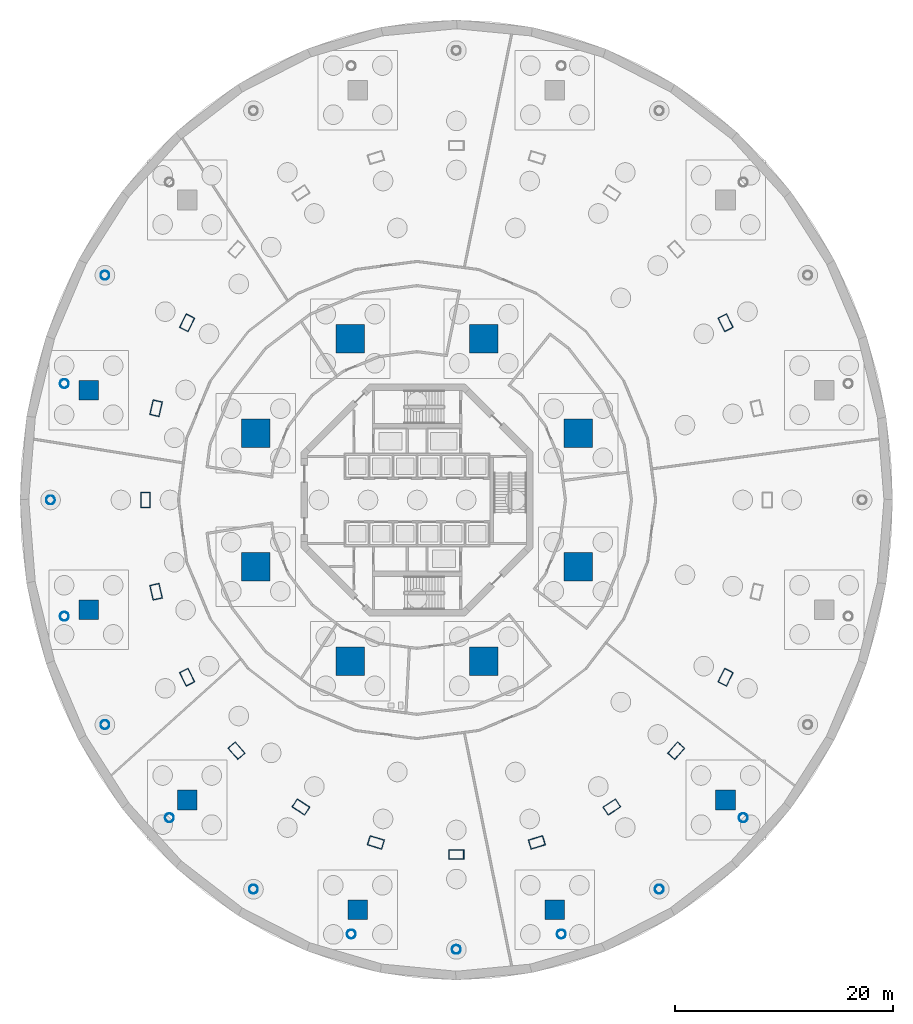
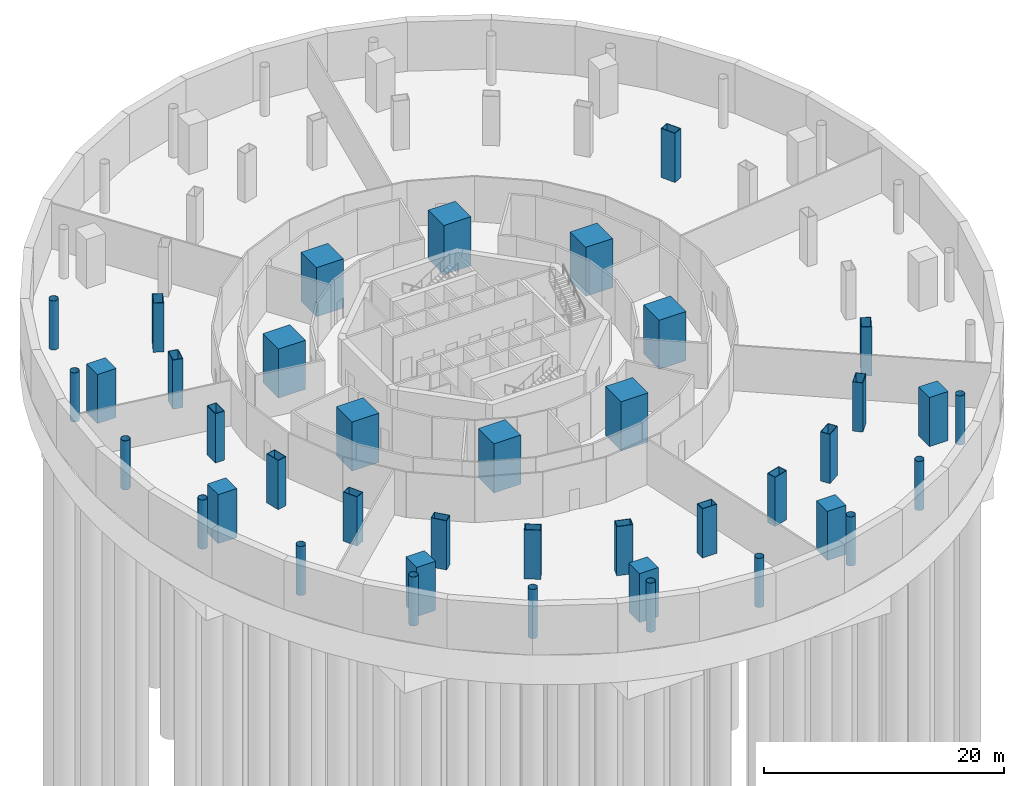
# One storey, part 2 of 14: 40 columns.
"""IFC4 building model written with IfcOpenShell, lengths in metres."""

from ifc_helpers import new_model, si_unit, direction, frame, origin, origin_2d, place, context, subcontext, project, spatial, rectangle, hollow_rectangle, hollow_circle, extrude, material, material_profile, profile_set, type_object, element, save


model = new_model("IFC4")

# Units and contexts
model_context = context("Model", 3, precision=1e-05, world=origin(), true_north=direction((0.0, 1.0)))
body_context = subcontext(model_context, "Body", "Model", "MODEL_VIEW")
ifc_project = project(units=[si_unit("LENGTHUNIT", "METRE"), si_unit("AREAUNIT", "SQUARE_METRE"), si_unit("VOLUMEUNIT", "CUBIC_METRE"), si_unit("PLANEANGLEUNIT", "RADIAN"), si_unit("MASSUNIT", "GRAM", prefix="KILO")], contexts=[model_context])

# Site, building, storey
site_placement = place(None, origin())
site = spatial("IfcSite", under=ifc_project, at=site_placement, CompositionType="ELEMENT")
building_placement = place(site_placement, origin())
building = spatial("IfcBuilding", under=site, at=building_placement, Name="Nagisa Residences", CompositionType="ELEMENT")
storey_placement = place(building_placement, frame((0.0, 0.0, -10.0)))
storey = spatial("IfcBuildingStorey", under=building, at=storey_placement, Name="B2", CompositionType="ELEMENT", Elevation=-10.0)

# Columns
ifc_material_1 = material(Name="Steel ASTM A572 Gr 65", Category="steel")
ifc_material_profile_1 = material_profile(ifc_material_1, hollow_circle(Radius=0.406494140625, WallThickness=0.02490234375, at=origin_2d()), Name="CHS 813x25")
ifc_profile_set_1 = profile_set([ifc_material_profile_1], Name="Steel ASTM A572 Gr 65")
column_type_1 = type_object("IfcColumnType", Name="Atrium column CHS 813x25", PredefinedType="COLUMN", material=ifc_profile_set_1)
for number, where, z_axis, x_axis, name in (
    (1, (-28.6162109375, 20.60009765625, 0.0), (0.0, 0.0, 1.0), (1.0, 0.0, 0.0), "col:B2:a10"),
    (2, (-32.33251953125, 10.663330078125, 0.0), (0.0, 0.0, 1.0), (1.0, 0.0, 0.0), "col:B2:a11"),
    (3, (-33.60009765625, 0.0, 0.0), (0.0, 0.0, 1.0), (1.0, 0.0, 0.0), "col:B2:a12"),
    (4, (-32.33251953125, -10.663330078125, 0.0), (0.0, 0.0, 1.0), (1.0, 0.0, 0.0), "col:B2:a13"),
    (5, (-28.6162109375, -20.60009765625, 0.0), (0.0, 0.0, 1.0), (1.0, 0.0, 0.0), "col:B2:a14"),
    (6, (-22.704345703125, -29.1328125, 0.0), (0.0, 0.0, 1.0), (1.0, 0.0, 0.0), "col:B2:a15"),
    (7, (-15.0, -35.68017578125, 0.0), (0.0, 0.0, 1.0), (1.0, 0.0, 0.0), "col:B2:a16"),
    (8, (-6.028076171875, -39.796142578125, 0.0), (0.0, 0.0, 1.0), (1.0, 0.0, 0.0), "col:B2:a17"),
    (9, (3.60009765625, -41.199951171875, 0.0), (0.0, 0.0, 1.0), (1.0, 0.0, 0.0), "col:B2:a18"),
    (10, (13.22802734375, -39.796142578125, 0.0), (0.0, 0.0, 1.0), (1.0, 0.0, 0.0), "col:B2:a19"),
    (11, (22.199951171875, -35.68017578125, 0.0), (0.0, 0.0, 1.0), (1.0, 0.0, 0.0), "col:B2:a20"),
    (12, (29.904296875, -29.1328125, 0.0), (0.0, 0.0, 1.0), (1.0, 0.0, 0.0), "col:B2:a21"),
):
    element("IfcColumn", number, at=place(storey_placement, frame(where, z_axis=z_axis, x_axis=x_axis)), inside=storey, type_object=column_type_1, Name=name, PredefinedType="COLUMN", context=body_context, shape_type="SweptSolid", body=[
        extrude(hollow_circle(Radius=0.406494140625, WallThickness=0.02490234375, at=origin_2d()), origin(), (0.0, 0.0, 1.0), 5.0),
    ])
ifc_material_2 = material(Name="Concrete C80", Category="concrete")
ifc_material_profile_2 = material_profile(ifc_material_2, rectangle(XDim=1.800048828125, YDim=1.800048828125, at=origin_2d()), Name="C80 1800x1800")
ifc_profile_set_2 = profile_set([ifc_material_profile_2], Name="Concrete C80")
column_type_2 = type_object("IfcColumnType", Name="Cage foot column C80 1800x1800", PredefinedType="COLUMN", material=ifc_profile_set_2)
for number, where, z_axis, x_axis, name in (
    (13, (-30.11083984375, 10.068115234375, 0.0), (0.0, 0.0, 1.0), (1.0, 0.0, 0.0), "col:B2:f06"),
    (14, (-30.11083984375, -10.068115234375, 0.0), (0.0, 0.0, 1.0), (1.0, 0.0, 0.0), "col:B2:f07"),
    (15, (-21.078125, -27.50634765625, 0.0), (0.0, 0.0, 1.0), (1.0, 0.0, 0.0), "col:B2:f08"),
    (16, (-5.432861328125, -37.574462890625, 0.0), (0.0, 0.0, 1.0), (1.0, 0.0, 0.0), "col:B2:f09"),
    (17, (12.6328125, -37.574462890625, 0.0), (0.0, 0.0, 1.0), (1.0, 0.0, 0.0), "col:B2:f10"),
    (18, (28.278076171875, -27.50634765625, 0.0), (0.0, 0.0, 1.0), (1.0, 0.0, 0.0), "col:B2:f11"),
):
    element("IfcColumn", number, at=place(storey_placement, frame(where, z_axis=z_axis, x_axis=x_axis)), inside=storey, type_object=column_type_2, Name=name, PredefinedType="COLUMN", context=body_context, shape_type="SweptSolid", body=[
        extrude(rectangle(XDim=1.800048828125, YDim=1.800048828125, at=origin_2d()), origin(), (0.0, 0.0, 1.0), 5.0),
    ])
ifc_material_3 = material(Name="Concrete C80", Category="concrete")
ifc_material_profile_3 = material_profile(ifc_material_3, rectangle(XDim=2.60009765625, YDim=2.60009765625, at=origin_2d()), Name="C80 2600x2600")
ifc_profile_set_3 = profile_set([ifc_material_profile_3], Name="Concrete C80")
column_type_3 = type_object("IfcColumnType", Name="Inner megacolumn C80 2600x2600", PredefinedType="COLUMN", material=ifc_profile_set_3)
for number, where, z_axis, x_axis, name in (
    (19, (14.781982421875, 6.123046875, 0.0), (0.0, 0.0, 1.0), (1.0, 0.0, 0.0), "col:B2:i1"),
    (20, (6.123046875, 14.781982421875, 0.0), (0.0, 0.0, 1.0), (1.0, 0.0, 0.0), "col:B2:i2"),
    (21, (-6.123046875, 14.781982421875, 0.0), (0.0, 0.0, 1.0), (1.0, 0.0, 0.0), "col:B2:i3"),
    (22, (-14.781982421875, 6.123046875, 0.0), (0.0, 0.0, 1.0), (1.0, 0.0, 0.0), "col:B2:i4"),
    (23, (-14.781982421875, -6.123046875, 0.0), (0.0, 0.0, 1.0), (1.0, 0.0, 0.0), "col:B2:i5"),
    (24, (-6.123046875, -14.781982421875, 0.0), (0.0, 0.0, 1.0), (1.0, 0.0, 0.0), "col:B2:i6"),
    (25, (6.123046875, -14.781982421875, 0.0), (0.0, 0.0, 1.0), (1.0, 0.0, 0.0), "col:B2:i7"),
    (26, (14.781982421875, -6.123046875, 0.0), (0.0, 0.0, 1.0), (1.0, 0.0, 0.0), "col:B2:i8"),
):
    element("IfcColumn", number, at=place(storey_placement, frame(where, z_axis=z_axis, x_axis=x_axis)), inside=storey, type_object=column_type_3, Name=name, PredefinedType="COLUMN", context=body_context, shape_type="SweptSolid", body=[
        extrude(rectangle(XDim=2.60009765625, YDim=2.60009765625, at=origin_2d()), origin(), (0.0, 0.0, 1.0), 5.0),
    ])
ifc_material_4 = material(Name="Steel ASTM A572 Gr 50", Category="steel")
ifc_material_profile_4 = material_profile(ifc_material_4, hollow_rectangle(XDim=1.39990234375, YDim=0.89990234375, WallThickness=0.050048828125, at=origin_2d()), Name="BX 1400x900x50")
ifc_profile_set_4 = profile_set([ifc_material_profile_4], Name="Steel ASTM A572 Gr 50")
column_type_4 = type_object("IfcColumnType", Name="Perimeter column BX 1400x900x50", PredefinedType="COLUMN", material=ifc_profile_set_4)
for number, where, z_axis, x_axis, name in (
    (27, (28.28173828125, 16.25, 0.0), (0.0, 0.0, 1.0), (-0.452462697578, 0.891783329795, 0.0), "col:B2:p02"),
    (28, (-21.081787109375, 16.25, 0.0), (0.0, 0.0, 1.0), (-0.452462697578, -0.891783329795, 0.0), "col:B2:p10"),
    (29, (-23.928955078125, 8.41162109375, 0.0), (0.0, 0.0, 1.0), (-0.229202013103, -0.973378876486, 0.0), "col:B2:p11"),
    (30, (-24.89990234375, 0.0, 0.0), (0.0, 0.0, 1.0), (0.0, -1.0, 0.0), "col:B2:p12"),
    (31, (-23.928955078125, -8.41162109375, 0.0), (0.0, 0.0, 1.0), (0.229202013103, -0.973378876486, 0.0), "col:B2:p13"),
    (32, (-21.081787109375, -16.25, 0.0), (0.0, 0.0, 1.0), (0.452462697578, -0.891783329795, 0.0), "col:B2:p14"),
    (33, (-16.552490234375, -22.98095703125, 0.0), (0.0, 0.0, 1.0), (0.660114607735, -0.751164898445, 0.0), "col:B2:p15"),
    (34, (-10.64990234375, -28.145751953125, 0.0), (0.0, 0.0, 1.0), (0.835766105673, -0.54908561865, 0.0), "col:B2:p16"),
    (35, (-3.7763671875, -31.392578125, 0.0), (0.0, 0.0, 1.0), (0.956524583408, -0.291651712384, 0.0), "col:B2:p17"),
    (36, (3.60009765625, -32.5, 0.0), (0.0, 0.0, 1.0), (1.0, 0.0, 0.0), "col:B2:p18"),
    (37, (10.976318359375, -31.392578125, 0.0), (0.0, 0.0, 1.0), (0.956524583408, 0.291651712384, 0.0), "col:B2:p19"),
    (38, (17.85009765625, -28.145751953125, 0.0), (0.0, 0.0, 1.0), (0.835766105673, 0.54908561865, 0.0), "col:B2:p20"),
    (39, (23.75244140625, -22.98095703125, 0.0), (0.0, 0.0, 1.0), (0.660114607735, 0.751164898445, 0.0), "col:B2:p21"),
    (40, (28.28173828125, -16.25, 0.0), (0.0, 0.0, 1.0), (0.452462697578, 0.891783329795, 0.0), "col:B2:p22"),
):
    element("IfcColumn", number, at=place(storey_placement, frame(where, z_axis=z_axis, x_axis=x_axis)), inside=storey, type_object=column_type_4, Name=name, PredefinedType="COLUMN", context=body_context, shape_type="SweptSolid", body=[
        extrude(hollow_rectangle(XDim=1.39990234375, YDim=0.89990234375, WallThickness=0.050048828125, at=origin_2d()), origin(), (0.0, 0.0, 1.0), 5.0),
    ])

save(model, "model.ifc")
